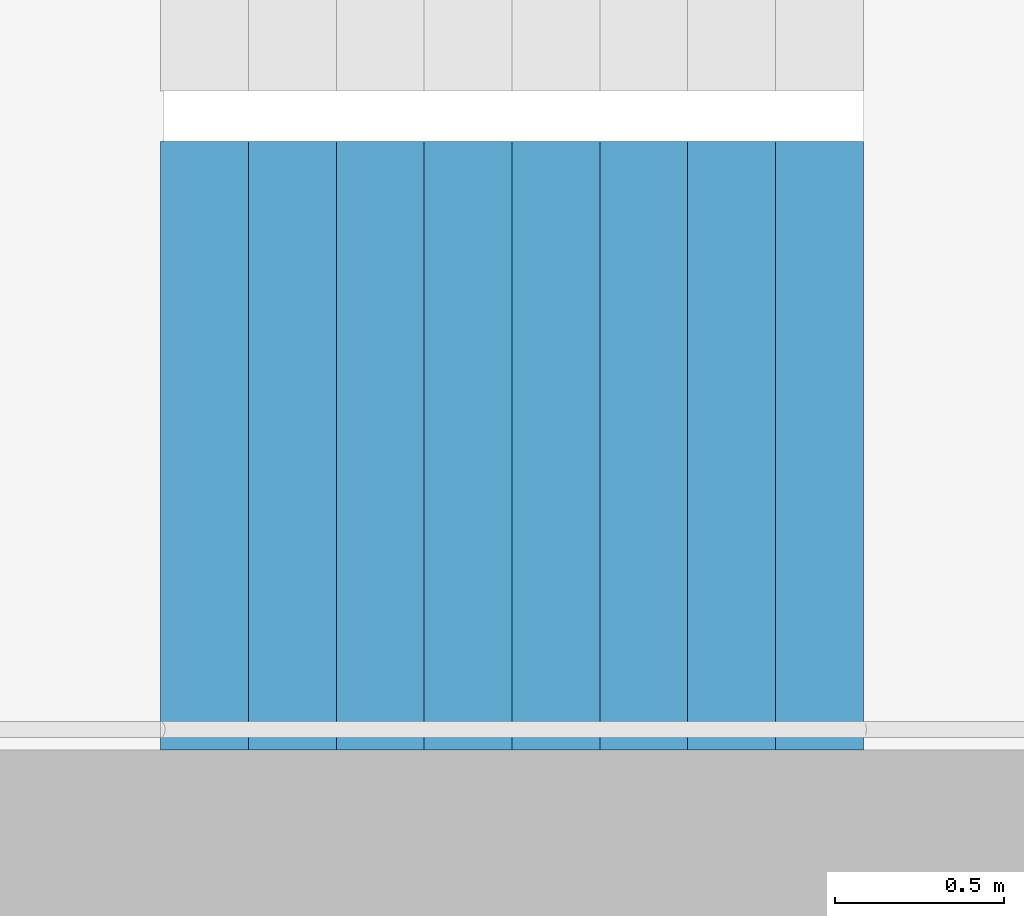
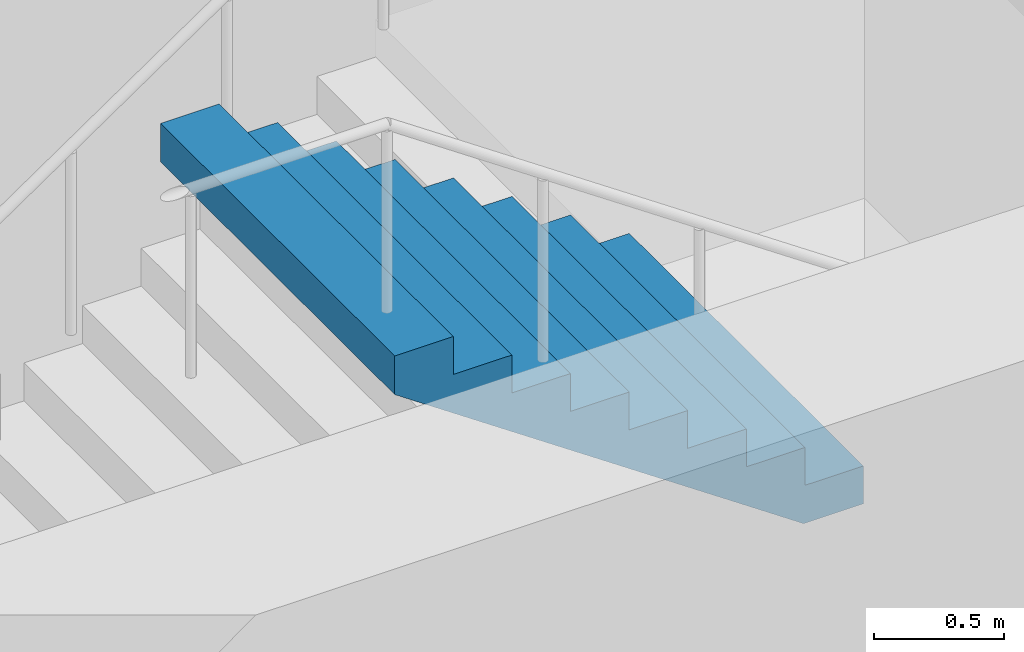
# One storey, part 22 of 26: 1 stair flight, 1 element without a shape of its own.
"""IFC4 building model written with IfcOpenShell, lengths in metres."""

from ifc_helpers import new_model, si_unit, direction, frame, origin, place, context, subcontext, project, spatial, triangles, material, type_object, element, aggregate, save


model = new_model("IFC4")

# Units and contexts
model_context = context("Model", 3, precision=1e-05, world=origin(), true_north=direction((0.0, 1.0)))
body_context = subcontext(model_context, "Body", "Model", "MODEL_VIEW")
ifc_project = project(units=[si_unit("LENGTHUNIT", "METRE"), si_unit("AREAUNIT", "SQUARE_METRE"), si_unit("VOLUMEUNIT", "CUBIC_METRE"), si_unit("PLANEANGLEUNIT", "RADIAN"), si_unit("MASSUNIT", "GRAM", prefix="KILO")], contexts=[model_context])

# Site, building, storey
site_placement = place(None, origin())
site = spatial("IfcSite", under=ifc_project, at=site_placement, CompositionType="ELEMENT")
building_placement = place(site_placement, origin())
building = spatial("IfcBuilding", under=site, at=building_placement, Name="Hakoniwa Tower and Hamabe Station Hall", CompositionType="ELEMENT")
storey_placement = place(building_placement, frame((0.0, 0.0, 159.800048828125)))
storey = spatial("IfcBuildingStorey", under=building, at=storey_placement, Name="L45", CompositionType="ELEMENT", Elevation=159.800048828125)

# Stair, stair flight
ifc_material_1 = material(Name="Concrete C40", Category="concrete")
stair_type = type_object("IfcStairType", Name="ESCAPE STAIR 1800", PredefinedType="HALF_TURN_STAIR", material=ifc_material_1)
stair_placement = place(storey_placement, origin())
stair = element("IfcStair", 1, at=stair_placement, inside=storey, type_object=stair_type, Name="Escape stair ST-4 L45", PredefinedType="HALF_TURN_STAIR")
ifc_material_2 = material(Name="Concrete C40", Category="concrete")
stair_flight_type = type_object("IfcStairFlightType", Name="STAIR FLIGHT 1800", PredefinedType="STRAIGHT", material=ifc_material_2)
stair_flight_placement = place(storey_placement, frame((25.47998046875, -6.60009765625, 1.599853515625), z_axis=(0.0, 0.0, 1.0), x_axis=(-1.0, 0.0, 0.0)))
stair_flight = element("IfcStairFlight", 2, at=stair_flight_placement, type_object=stair_flight_type, Name="ST-4 flight 2", NumberOfRisers=9, NumberOfTreads=8, PredefinedType="STRAIGHT", RiserHeight=0.177777778, TreadLength=0.26, context=body_context, shape_type="Tessellation", body=[
    triangles([(0.0, 0.89990234375, 0.0), (0.260009765625, 0.89990234375, 0.0), (0.265625, 0.89990234375, 0.0), (0.52001953125, 0.89990234375, 0.174072265625), (0.780029296875, 0.89990234375, 0.351806640625), (1.0400390625, 0.89990234375, 0.529541015625), (1.300048828125, 0.89990234375, 0.707275390625), (1.56005859375, 0.89990234375, 0.885009765625), (1.820068359375, 0.89990234375, 1.062744140625), (2.080078125, 0.89990234375, 1.24072265625), (2.080078125, 0.89990234375, 1.422119140625), (1.820068359375, 0.89990234375, 1.422119140625), (1.820068359375, 0.89990234375, 1.244384765625), (1.56005859375, 0.89990234375, 1.244384765625), (1.56005859375, 0.89990234375, 1.066650390625), (1.300048828125, 0.89990234375, 1.066650390625), (1.300048828125, 0.89990234375, 0.888916015625), (1.0400390625, 0.89990234375, 0.888916015625), (1.0400390625, 0.89990234375, 0.711181640625), (0.780029296875, 0.89990234375, 0.711181640625), (0.780029296875, 0.89990234375, 0.533447265625), (0.52001953125, 0.89990234375, 0.533447265625), (0.52001953125, 0.89990234375, 0.35546875), (0.265625, 0.89990234375, 0.35546875), (0.260009765625, 0.89990234375, 0.35546875), (0.260009765625, 0.89990234375, 0.177734375), (0.0, 0.89990234375, 0.177734375), (0.0, 0.06005859375, 0.0), (0.260009765625, 0.06005859375, 0.0), (0.265625, 0.06005859375, 0.0), (0.52001953125, 0.06005859375, 0.174072265625), (0.780029296875, 0.06005859375, 0.351806640625), (1.0400390625, 0.06005859375, 0.529541015625), (1.300048828125, 0.06005859375, 0.707275390625), (1.56005859375, 0.06005859375, 0.885009765625), (1.820068359375, 0.06005859375, 1.062744140625), (2.080078125, 0.06005859375, 1.24072265625), (2.080078125, 0.06005859375, 1.422119140625), (1.820068359375, 0.06005859375, 1.422119140625), (1.820068359375, 0.06005859375, 1.244384765625), (1.56005859375, 0.06005859375, 1.244384765625), (1.56005859375, 0.06005859375, 1.066650390625), (1.300048828125, 0.06005859375, 1.066650390625), (1.300048828125, 0.06005859375, 0.888916015625), (1.0400390625, 0.06005859375, 0.888916015625), (1.0400390625, 0.06005859375, 0.711181640625), (0.780029296875, 0.06005859375, 0.711181640625), (0.780029296875, 0.06005859375, 0.533447265625), (0.52001953125, 0.06005859375, 0.533447265625), (0.52001953125, 0.06005859375, 0.35546875), (0.265625, 0.06005859375, 0.35546875), (0.260009765625, 0.06005859375, 0.35546875), (0.260009765625, 0.06005859375, 0.177734375), (0.0, 0.06005859375, 0.177734375), (0.0, 0.04296875, 0.0), (0.260009765625, 0.04296875, 0.0), (0.265625, 0.04296875, 0.0), (0.52001953125, 0.04296875, 0.174072265625), (0.780029296875, 0.04296875, 0.351806640625), (1.0400390625, 0.04296875, 0.529541015625), (1.300048828125, 0.04296875, 0.707275390625), (1.56005859375, 0.04296875, 0.885009765625), (1.820068359375, 0.04296875, 1.062744140625), (2.080078125, 0.04296875, 1.24072265625), (2.080078125, 0.04296875, 1.422119140625), (1.820068359375, 0.04296875, 1.422119140625), (1.820068359375, 0.04296875, 1.244384765625), (1.56005859375, 0.04296875, 1.244384765625), (1.56005859375, 0.04296875, 1.066650390625), (1.300048828125, 0.04296875, 1.066650390625), (1.300048828125, 0.04296875, 0.888916015625), (1.0400390625, 0.04296875, 0.888916015625), (1.0400390625, 0.04296875, 0.711181640625), (0.780029296875, 0.04296875, 0.711181640625), (0.780029296875, 0.04296875, 0.533447265625), (0.52001953125, 0.04296875, 0.533447265625), (0.52001953125, 0.04296875, 0.35546875), (0.265625, 0.04296875, 0.35546875), (0.260009765625, 0.04296875, 0.35546875), (0.260009765625, 0.04296875, 0.177734375), (0.0, 0.04296875, 0.177734375), (0.0, 0.025634765625, 0.0), (0.260009765625, 0.025634765625, 0.0), (0.265625, 0.025634765625, 0.0), (0.52001953125, 0.025634765625, 0.174072265625), (0.780029296875, 0.025634765625, 0.351806640625), (1.0400390625, 0.025634765625, 0.529541015625), (1.300048828125, 0.025634765625, 0.707275390625), (1.56005859375, 0.025634765625, 0.885009765625), (1.820068359375, 0.025634765625, 1.062744140625), (2.080078125, 0.025634765625, 1.24072265625), (2.080078125, 0.025634765625, 1.422119140625), (1.820068359375, 0.025634765625, 1.422119140625), (1.820068359375, 0.025634765625, 1.244384765625), (1.56005859375, 0.025634765625, 1.244384765625), (1.56005859375, 0.025634765625, 1.066650390625), (1.300048828125, 0.025634765625, 1.066650390625), (1.300048828125, 0.025634765625, 0.888916015625), (1.0400390625, 0.025634765625, 0.888916015625), (1.0400390625, 0.025634765625, 0.711181640625), (0.780029296875, 0.025634765625, 0.711181640625), (0.780029296875, 0.025634765625, 0.533447265625), (0.52001953125, 0.025634765625, 0.533447265625), (0.52001953125, 0.025634765625, 0.35546875), (0.265625, 0.025634765625, 0.35546875), (0.260009765625, 0.025634765625, 0.35546875), (0.260009765625, 0.025634765625, 0.177734375), (0.0, 0.025634765625, 0.177734375), (0.0, 0.008544921875, 0.0), (0.260009765625, 0.008544921875, 0.0), (0.265625, 0.008544921875, 0.0), (0.52001953125, 0.008544921875, 0.174072265625), (0.780029296875, 0.008544921875, 0.351806640625), (1.0400390625, 0.008544921875, 0.529541015625), (1.300048828125, 0.008544921875, 0.707275390625), (1.56005859375, 0.008544921875, 0.885009765625), (1.820068359375, 0.008544921875, 1.062744140625), (2.080078125, 0.008544921875, 1.24072265625), (2.080078125, 0.008544921875, 1.422119140625), (1.820068359375, 0.008544921875, 1.422119140625), (1.820068359375, 0.008544921875, 1.244384765625), (1.56005859375, 0.008544921875, 1.244384765625), (1.56005859375, 0.008544921875, 1.066650390625), (1.300048828125, 0.008544921875, 1.066650390625), (1.300048828125, 0.008544921875, 0.888916015625), (1.0400390625, 0.008544921875, 0.888916015625), (1.0400390625, 0.008544921875, 0.711181640625), (0.780029296875, 0.008544921875, 0.711181640625), (0.780029296875, 0.008544921875, 0.533447265625), (0.52001953125, 0.008544921875, 0.533447265625), (0.52001953125, 0.008544921875, 0.35546875), (0.265625, 0.008544921875, 0.35546875), (0.260009765625, 0.008544921875, 0.35546875), (0.260009765625, 0.008544921875, 0.177734375), (0.0, 0.008544921875, 0.177734375), (0.0, -0.008544921875, 0.0), (0.260009765625, -0.008544921875, 0.0), (0.265625, -0.008544921875, 0.0), (0.52001953125, -0.008544921875, 0.174072265625), (0.780029296875, -0.008544921875, 0.351806640625), (1.0400390625, -0.008544921875, 0.529541015625), (1.300048828125, -0.008544921875, 0.707275390625), (1.56005859375, -0.008544921875, 0.885009765625), (1.820068359375, -0.008544921875, 1.062744140625), (2.080078125, -0.008544921875, 1.24072265625), (2.080078125, -0.008544921875, 1.422119140625), (1.820068359375, -0.008544921875, 1.422119140625), (1.820068359375, -0.008544921875, 1.244384765625), (1.56005859375, -0.008544921875, 1.244384765625), (1.56005859375, -0.008544921875, 1.066650390625), (1.300048828125, -0.008544921875, 1.066650390625), (1.300048828125, -0.008544921875, 0.888916015625), (1.0400390625, -0.008544921875, 0.888916015625), (1.0400390625, -0.008544921875, 0.711181640625), (0.780029296875, -0.008544921875, 0.711181640625), (0.780029296875, -0.008544921875, 0.533447265625), (0.52001953125, -0.008544921875, 0.533447265625), (0.52001953125, -0.008544921875, 0.35546875), (0.265625, -0.008544921875, 0.35546875), (0.260009765625, -0.008544921875, 0.35546875), (0.260009765625, -0.008544921875, 0.177734375), (0.0, -0.008544921875, 0.177734375), (0.0, -0.025634765625, 0.0), (0.260009765625, -0.025634765625, 0.0), (0.265625, -0.025634765625, 0.0), (0.52001953125, -0.025634765625, 0.174072265625), (0.780029296875, -0.025634765625, 0.351806640625), (1.0400390625, -0.025634765625, 0.529541015625), (1.300048828125, -0.025634765625, 0.707275390625), (1.56005859375, -0.025634765625, 0.885009765625), (1.820068359375, -0.025634765625, 1.062744140625), (2.080078125, -0.025634765625, 1.24072265625), (2.080078125, -0.025634765625, 1.422119140625), (1.820068359375, -0.025634765625, 1.422119140625), (1.820068359375, -0.025634765625, 1.244384765625), (1.56005859375, -0.025634765625, 1.244384765625), (1.56005859375, -0.025634765625, 1.066650390625), (1.300048828125, -0.025634765625, 1.066650390625), (1.300048828125, -0.025634765625, 0.888916015625), (1.0400390625, -0.025634765625, 0.888916015625), (1.0400390625, -0.025634765625, 0.711181640625), (0.780029296875, -0.025634765625, 0.711181640625), (0.780029296875, -0.025634765625, 0.533447265625), (0.52001953125, -0.025634765625, 0.533447265625), (0.52001953125, -0.025634765625, 0.35546875), (0.265625, -0.025634765625, 0.35546875), (0.260009765625, -0.025634765625, 0.35546875), (0.260009765625, -0.025634765625, 0.177734375), (0.0, -0.025634765625, 0.177734375), (0.0, -0.04296875, 0.0), (0.260009765625, -0.04296875, 0.0), (0.265625, -0.04296875, 0.0), (0.52001953125, -0.04296875, 0.174072265625), (0.780029296875, -0.04296875, 0.351806640625), (1.0400390625, -0.04296875, 0.529541015625), (1.300048828125, -0.04296875, 0.707275390625), (1.56005859375, -0.04296875, 0.885009765625), (1.820068359375, -0.04296875, 1.062744140625), (2.080078125, -0.04296875, 1.24072265625), (2.080078125, -0.04296875, 1.422119140625), (1.820068359375, -0.04296875, 1.422119140625), (1.820068359375, -0.04296875, 1.244384765625), (1.56005859375, -0.04296875, 1.244384765625), (1.56005859375, -0.04296875, 1.066650390625), (1.300048828125, -0.04296875, 1.066650390625), (1.300048828125, -0.04296875, 0.888916015625), (1.0400390625, -0.04296875, 0.888916015625), (1.0400390625, -0.04296875, 0.711181640625), (0.780029296875, -0.04296875, 0.711181640625), (0.780029296875, -0.04296875, 0.533447265625), (0.52001953125, -0.04296875, 0.533447265625), (0.52001953125, -0.04296875, 0.35546875), (0.265625, -0.04296875, 0.35546875), (0.260009765625, -0.04296875, 0.35546875), (0.260009765625, -0.04296875, 0.177734375), (0.0, -0.04296875, 0.177734375), (0.0, -0.06005859375, 0.0), (0.260009765625, -0.06005859375, 0.0), (0.265625, -0.06005859375, 0.0), (0.52001953125, -0.06005859375, 0.174072265625), (0.780029296875, -0.06005859375, 0.351806640625), (1.0400390625, -0.06005859375, 0.529541015625), (1.300048828125, -0.06005859375, 0.707275390625), (1.56005859375, -0.06005859375, 0.885009765625), (1.820068359375, -0.06005859375, 1.062744140625), (2.080078125, -0.06005859375, 1.24072265625), (2.080078125, -0.06005859375, 1.422119140625), (1.820068359375, -0.06005859375, 1.422119140625), (1.820068359375, -0.06005859375, 1.244384765625), (1.56005859375, -0.06005859375, 1.244384765625), (1.56005859375, -0.06005859375, 1.066650390625), (1.300048828125, -0.06005859375, 1.066650390625), (1.300048828125, -0.06005859375, 0.888916015625), (1.0400390625, -0.06005859375, 0.888916015625), (1.0400390625, -0.06005859375, 0.711181640625), (0.780029296875, -0.06005859375, 0.711181640625), (0.780029296875, -0.06005859375, 0.533447265625), (0.52001953125, -0.06005859375, 0.533447265625), (0.52001953125, -0.06005859375, 0.35546875), (0.265625, -0.06005859375, 0.35546875), (0.260009765625, -0.06005859375, 0.35546875), (0.260009765625, -0.06005859375, 0.177734375), (0.0, -0.06005859375, 0.177734375), (0.0, -0.89990234375, 0.0), (0.260009765625, -0.89990234375, 0.0), (0.265625, -0.89990234375, 0.0), (0.52001953125, -0.89990234375, 0.174072265625), (0.780029296875, -0.89990234375, 0.351806640625), (1.0400390625, -0.89990234375, 0.529541015625), (1.300048828125, -0.89990234375, 0.707275390625), (1.56005859375, -0.89990234375, 0.885009765625), (1.820068359375, -0.89990234375, 1.062744140625), (2.080078125, -0.89990234375, 1.24072265625), (2.080078125, -0.89990234375, 1.422119140625), (1.820068359375, -0.89990234375, 1.422119140625), (1.820068359375, -0.89990234375, 1.244384765625), (1.56005859375, -0.89990234375, 1.244384765625), (1.56005859375, -0.89990234375, 1.066650390625), (1.300048828125, -0.89990234375, 1.066650390625), (1.300048828125, -0.89990234375, 0.888916015625), (1.0400390625, -0.89990234375, 0.888916015625), (1.0400390625, -0.89990234375, 0.711181640625), (0.780029296875, -0.89990234375, 0.711181640625), (0.780029296875, -0.89990234375, 0.533447265625), (0.52001953125, -0.89990234375, 0.533447265625), (0.52001953125, -0.89990234375, 0.35546875), (0.265625, -0.89990234375, 0.35546875), (0.260009765625, -0.89990234375, 0.35546875), (0.260009765625, -0.89990234375, 0.177734375), (0.0, -0.89990234375, 0.177734375)], [[2, 27, 26], [245, 269, 270], [2, 1, 27], [245, 270, 244], [3, 25, 24], [246, 267, 268], [3, 26, 25], [246, 268, 269], [3, 2, 26], [246, 269, 245], [4, 24, 23], [247, 266, 267], [4, 3, 24], [247, 267, 246], [5, 22, 21], [248, 264, 265], [5, 23, 22], [248, 265, 266], [5, 4, 23], [248, 266, 247], [6, 20, 19], [249, 262, 263], [6, 21, 20], [249, 263, 264], [6, 5, 21], [249, 264, 248], [7, 18, 17], [250, 260, 261], [7, 19, 18], [250, 261, 262], [7, 6, 19], [250, 262, 249], [8, 16, 15], [251, 258, 259], [8, 17, 16], [251, 259, 260], [8, 7, 17], [251, 260, 250], [9, 14, 13], [252, 256, 257], [9, 15, 14], [252, 257, 258], [9, 8, 15], [252, 258, 251], [10, 12, 11], [253, 254, 255], [10, 13, 12], [253, 255, 256], [10, 9, 13], [253, 256, 252], [1, 2, 29], [1, 29, 28], [28, 29, 56], [28, 56, 55], [55, 56, 83], [55, 83, 82], [82, 83, 110], [82, 110, 109], [109, 110, 137], [109, 137, 136], [136, 137, 164], [136, 164, 163], [163, 164, 191], [163, 191, 190], [190, 191, 218], [190, 218, 217], [217, 218, 245], [217, 245, 244], [2, 3, 30], [2, 30, 29], [29, 30, 57], [29, 57, 56], [56, 57, 84], [56, 84, 83], [83, 84, 111], [83, 111, 110], [110, 111, 138], [110, 138, 137], [137, 138, 165], [137, 165, 164], [164, 165, 192], [164, 192, 191], [191, 192, 219], [191, 219, 218], [218, 219, 246], [218, 246, 245], [3, 4, 31], [3, 31, 30], [30, 31, 58], [30, 58, 57], [57, 58, 85], [57, 85, 84], [84, 85, 112], [84, 112, 111], [111, 112, 139], [111, 139, 138], [138, 139, 166], [138, 166, 165], [165, 166, 193], [165, 193, 192], [192, 193, 220], [192, 220, 219], [219, 220, 247], [219, 247, 246], [4, 5, 32], [4, 32, 31], [31, 32, 59], [31, 59, 58], [58, 59, 86], [58, 86, 85], [85, 86, 113], [85, 113, 112], [112, 113, 140], [112, 140, 139], [139, 140, 167], [139, 167, 166], [166, 167, 194], [166, 194, 193], [193, 194, 221], [193, 221, 220], [220, 221, 248], [220, 248, 247], [5, 6, 33], [5, 33, 32], [32, 33, 60], [32, 60, 59], [59, 60, 87], [59, 87, 86], [86, 87, 114], [86, 114, 113], [113, 114, 141], [113, 141, 140], [140, 141, 168], [140, 168, 167], [167, 168, 195], [167, 195, 194], [194, 195, 222], [194, 222, 221], [221, 222, 249], [221, 249, 248], [6, 7, 34], [6, 34, 33], [33, 34, 61], [33, 61, 60], [60, 61, 88], [60, 88, 87], [87, 88, 115], [87, 115, 114], [114, 115, 142], [114, 142, 141], [141, 142, 169], [141, 169, 168], [168, 169, 196], [168, 196, 195], [195, 196, 223], [195, 223, 222], [222, 223, 250], [222, 250, 249], [7, 8, 35], [7, 35, 34], [34, 35, 62], [34, 62, 61], [61, 62, 89], [61, 89, 88], [88, 89, 116], [88, 116, 115], [115, 116, 143], [115, 143, 142], [142, 143, 170], [142, 170, 169], [169, 170, 197], [169, 197, 196], [196, 197, 224], [196, 224, 223], [223, 224, 251], [223, 251, 250], [8, 9, 36], [8, 36, 35], [35, 36, 63], [35, 63, 62], [62, 63, 90], [62, 90, 89], [89, 90, 117], [89, 117, 116], [116, 117, 144], [116, 144, 143], [143, 144, 171], [143, 171, 170], [170, 171, 198], [170, 198, 197], [197, 198, 225], [197, 225, 224], [224, 225, 252], [224, 252, 251], [9, 10, 37], [9, 37, 36], [36, 37, 64], [36, 64, 63], [63, 64, 91], [63, 91, 90], [90, 91, 118], [90, 118, 117], [117, 118, 145], [117, 145, 144], [144, 145, 172], [144, 172, 171], [171, 172, 199], [171, 199, 198], [198, 199, 226], [198, 226, 225], [225, 226, 253], [225, 253, 252], [10, 11, 38], [10, 38, 37], [37, 38, 65], [37, 65, 64], [64, 65, 92], [64, 92, 91], [91, 92, 119], [91, 119, 118], [118, 119, 146], [118, 146, 145], [145, 146, 173], [145, 173, 172], [172, 173, 200], [172, 200, 199], [199, 200, 227], [199, 227, 226], [226, 227, 254], [226, 254, 253], [11, 12, 39], [11, 39, 38], [38, 39, 66], [38, 66, 65], [65, 66, 93], [65, 93, 92], [92, 93, 120], [92, 120, 119], [119, 120, 147], [119, 147, 146], [146, 147, 174], [146, 174, 173], [173, 174, 201], [173, 201, 200], [200, 201, 228], [200, 228, 227], [227, 228, 255], [227, 255, 254], [12, 13, 40], [12, 40, 39], [39, 40, 67], [39, 67, 66], [66, 67, 94], [66, 94, 93], [93, 94, 121], [93, 121, 120], [120, 121, 148], [120, 148, 147], [147, 148, 175], [147, 175, 174], [174, 175, 202], [174, 202, 201], [201, 202, 229], [201, 229, 228], [228, 229, 256], [228, 256, 255], [13, 14, 41], [13, 41, 40], [40, 41, 68], [40, 68, 67], [67, 68, 95], [67, 95, 94], [94, 95, 122], [94, 122, 121], [121, 122, 149], [121, 149, 148], [148, 149, 176], [148, 176, 175], [175, 176, 203], [175, 203, 202], [202, 203, 230], [202, 230, 229], [229, 230, 257], [229, 257, 256], [14, 15, 42], [14, 42, 41], [41, 42, 69], [41, 69, 68], [68, 69, 96], [68, 96, 95], [95, 96, 123], [95, 123, 122], [122, 123, 150], [122, 150, 149], [149, 150, 177], [149, 177, 176], [176, 177, 204], [176, 204, 203], [203, 204, 231], [203, 231, 230], [230, 231, 258], [230, 258, 257], [15, 16, 43], [15, 43, 42], [42, 43, 70], [42, 70, 69], [69, 70, 97], [69, 97, 96], [96, 97, 124], [96, 124, 123], [123, 124, 151], [123, 151, 150], [150, 151, 178], [150, 178, 177], [177, 178, 205], [177, 205, 204], [204, 205, 232], [204, 232, 231], [231, 232, 259], [231, 259, 258], [16, 17, 44], [16, 44, 43], [43, 44, 71], [43, 71, 70], [70, 71, 98], [70, 98, 97], [97, 98, 125], [97, 125, 124], [124, 125, 152], [124, 152, 151], [151, 152, 179], [151, 179, 178], [178, 179, 206], [178, 206, 205], [205, 206, 233], [205, 233, 232], [232, 233, 260], [232, 260, 259], [17, 18, 45], [17, 45, 44], [44, 45, 72], [44, 72, 71], [71, 72, 99], [71, 99, 98], [98, 99, 126], [98, 126, 125], [125, 126, 153], [125, 153, 152], [152, 153, 180], [152, 180, 179], [179, 180, 207], [179, 207, 206], [206, 207, 234], [206, 234, 233], [233, 234, 261], [233, 261, 260], [18, 19, 46], [18, 46, 45], [45, 46, 73], [45, 73, 72], [72, 73, 100], [72, 100, 99], [99, 100, 127], [99, 127, 126], [126, 127, 154], [126, 154, 153], [153, 154, 181], [153, 181, 180], [180, 181, 208], [180, 208, 207], [207, 208, 235], [207, 235, 234], [234, 235, 262], [234, 262, 261], [19, 20, 47], [19, 47, 46], [46, 47, 74], [46, 74, 73], [73, 74, 101], [73, 101, 100], [100, 101, 128], [100, 128, 127], [127, 128, 155], [127, 155, 154], [154, 155, 182], [154, 182, 181], [181, 182, 209], [181, 209, 208], [208, 209, 236], [208, 236, 235], [235, 236, 263], [235, 263, 262], [20, 21, 48], [20, 48, 47], [47, 48, 75], [47, 75, 74], [74, 75, 102], [74, 102, 101], [101, 102, 129], [101, 129, 128], [128, 129, 156], [128, 156, 155], [155, 156, 183], [155, 183, 182], [182, 183, 210], [182, 210, 209], [209, 210, 237], [209, 237, 236], [236, 237, 264], [236, 264, 263], [21, 22, 49], [21, 49, 48], [48, 49, 76], [48, 76, 75], [75, 76, 103], [75, 103, 102], [102, 103, 130], [102, 130, 129], [129, 130, 157], [129, 157, 156], [156, 157, 184], [156, 184, 183], [183, 184, 211], [183, 211, 210], [210, 211, 238], [210, 238, 237], [237, 238, 265], [237, 265, 264], [22, 23, 50], [22, 50, 49], [49, 50, 77], [49, 77, 76], [76, 77, 104], [76, 104, 103], [103, 104, 131], [103, 131, 130], [130, 131, 158], [130, 158, 157], [157, 158, 185], [157, 185, 184], [184, 185, 212], [184, 212, 211], [211, 212, 239], [211, 239, 238], [238, 239, 266], [238, 266, 265], [23, 24, 51], [23, 51, 50], [50, 51, 78], [50, 78, 77], [77, 78, 105], [77, 105, 104], [104, 105, 132], [104, 132, 131], [131, 132, 159], [131, 159, 158], [158, 159, 186], [158, 186, 185], [185, 186, 213], [185, 213, 212], [212, 213, 240], [212, 240, 239], [239, 240, 267], [239, 267, 266], [24, 25, 52], [24, 52, 51], [51, 52, 79], [51, 79, 78], [78, 79, 106], [78, 106, 105], [105, 106, 133], [105, 133, 132], [132, 133, 160], [132, 160, 159], [159, 160, 187], [159, 187, 186], [186, 187, 214], [186, 214, 213], [213, 214, 241], [213, 241, 240], [240, 241, 268], [240, 268, 267], [25, 26, 53], [25, 53, 52], [52, 53, 80], [52, 80, 79], [79, 80, 107], [79, 107, 106], [106, 107, 134], [106, 134, 133], [133, 134, 161], [133, 161, 160], [160, 161, 188], [160, 188, 187], [187, 188, 215], [187, 215, 214], [214, 215, 242], [214, 242, 241], [241, 242, 269], [241, 269, 268], [26, 27, 54], [26, 54, 53], [53, 54, 81], [53, 81, 80], [80, 81, 108], [80, 108, 107], [107, 108, 135], [107, 135, 134], [134, 135, 162], [134, 162, 161], [161, 162, 189], [161, 189, 188], [188, 189, 216], [188, 216, 215], [215, 216, 243], [215, 243, 242], [242, 243, 270], [242, 270, 269], [27, 1, 28], [27, 28, 54], [54, 28, 55], [54, 55, 81], [81, 55, 82], [81, 82, 108], [108, 82, 109], [108, 109, 135], [135, 109, 136], [135, 136, 162], [162, 136, 163], [162, 163, 189], [189, 163, 190], [189, 190, 216], [216, 190, 217], [216, 217, 243], [243, 217, 244], [243, 244, 270]], closed=True),
])
aggregate(stair, [stair_flight])

save(model, "model.ifc")
